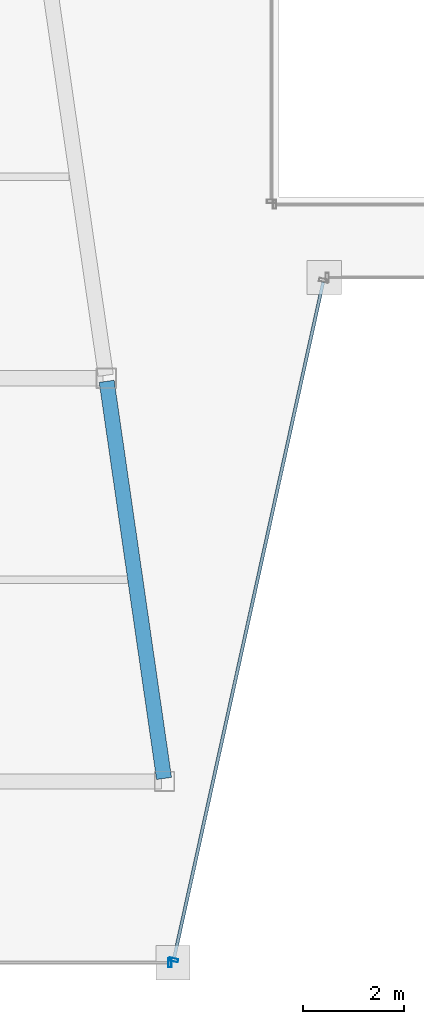
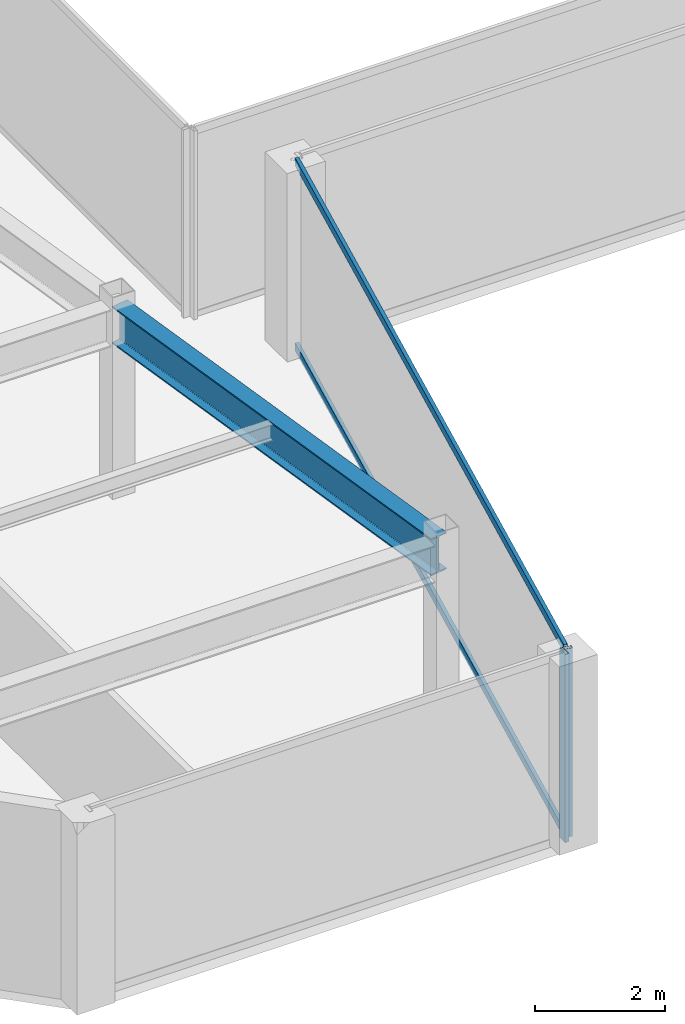
# One storey, part 6 of 35: 4 members, 1 beam, 2 elements without a shape of their own.
"""IFC4 building model written with IfcOpenShell, lengths in metres."""

from ifc_helpers import new_model, si_unit, direction, frame, origin, origin_2d, place, context, subcontext, project, spatial, hollow_rectangle, i_section, extrude, material, material_profile, profile_set, type_object, element, aggregate, save


model = new_model("IFC4")

# Units and contexts
model_context = context("Model", 3, precision=1e-05, world=origin(), true_north=direction((0.0, 1.0)))
body_context = subcontext(model_context, "Body", "Model", "MODEL_VIEW")
ifc_project = project(units=[si_unit("LENGTHUNIT", "METRE"), si_unit("AREAUNIT", "SQUARE_METRE"), si_unit("VOLUMEUNIT", "CUBIC_METRE"), si_unit("PLANEANGLEUNIT", "RADIAN"), si_unit("MASSUNIT", "GRAM", prefix="KILO")], contexts=[model_context])

# Site, building, storey
site_placement = place(None, origin())
site = spatial("IfcSite", under=ifc_project, at=site_placement, CompositionType="ELEMENT")
building_placement = place(site_placement, origin())
building = spatial("IfcBuilding", under=site, at=building_placement, Name="Saevonmaru Cultural Tower", CompositionType="ELEMENT")
storey_placement = place(building_placement, frame((0.0, 0.0, 213.199951171875)))
storey = spatial("IfcBuildingStorey", under=building, at=storey_placement, Name="L49", CompositionType="ELEMENT", Elevation=213.199951171875)

# Beam
ifc_material_1 = material(Name="Steel SM355", Category="steel")
ifc_material_profile_1 = material_profile(ifc_material_1, i_section(OverallWidth=0.300048828125, OverallDepth=0.699951171875, WebThickness=0.012939453125, FlangeThickness=0.02392578125, FilletRadius=0.02587890625, at=origin_2d()), Name="H-700x300x13x24")
ifc_profile_set_1 = profile_set([ifc_material_profile_1], Name="Steel SM355")
beam_type = type_object("IfcBeamType", Name="BM-G-H700", PredefinedType="BEAM", material=ifc_profile_set_1)
beam_placement = place(storey_placement, frame((21.91943359375, 16.059326171875, 3.199951171875), z_axis=(-0.143022161059, 0.989719486241, 0.0), x_axis=(-0.989719486241, -0.143022161059, 0.0)))
element("IfcBeam", 1, at=beam_placement, inside=storey, type_object=beam_type, Name="L49 West Atrium Girder 1", PredefinedType="BEAM", context=body_context, shape_type="SweptSolid", body=[
    extrude(i_section(OverallWidth=0.300048828125, OverallDepth=0.699951171875, WebThickness=0.012939453125, FlangeThickness=0.02392578125, FilletRadius=0.02587890625, at=origin_2d()), origin(), (0.0, 0.0, 1.0), 7.963134765625),
])

# Curtain wall, member
ifc_material_2 = material(Name="Satin Bronze Anodised Aluminium", Category="aluminium")
curtain_wall_type = type_object("IfcCurtainWallType", Name="CW-TYP-B", PredefinedType="NOTDEFINED", material=ifc_material_2)
curtain_wall_1_placement = place(storey_placement, origin())
curtain_wall_1 = element("IfcCurtainWall", 2, at=curtain_wall_1_placement, inside=storey, type_object=curtain_wall_type, Name="L49 Unitised Curtain Wall E2", PredefinedType="NOTDEFINED")
ifc_material_profile_2 = material_profile(ifc_material_2, hollow_rectangle(XDim=0.06494140625, YDim=0.179931640625, WallThickness=0.00390625, at=origin_2d()), Name="ALU-MULL-180x65x4")
ifc_profile_set_2 = profile_set([ifc_material_profile_2], Name="Satin Bronze Anodised Aluminium")
member_type_1 = type_object("IfcMemberType", Name="ML-CW-180x65", PredefinedType="MULLION", material=ifc_profile_set_2)
member_1_placement = place(storey_placement, frame((22.037841796875, 12.39990234375, 0.0), z_axis=(0.0, 0.0, 1.0), x_axis=(1.0, 0.0, 0.0)))
member_1 = element("IfcMember", 3, at=member_1_placement, type_object=member_type_1, Name="CW-TW-L49-E2 mullion 2", PredefinedType="MULLION", context=body_context, shape_type="SweptSolid", body=[
    extrude(hollow_rectangle(XDim=0.06494140625, YDim=0.179931640625, WallThickness=0.00390625, at=origin_2d()), origin(), (0.0, 0.0, 1.0), 3.550048828125),
])
aggregate(curtain_wall_1, [member_1])

# Curtain wall, members
curtain_wall_2_placement = place(storey_placement, origin())
curtain_wall_2 = element("IfcCurtainWall", 4, at=curtain_wall_2_placement, inside=storey, type_object=curtain_wall_type, Name="L49 Unitised Curtain Wall E3", PredefinedType="NOTDEFINED")
member_2_placement = place(storey_placement, frame((22.110595703125, 12.45849609375, 0.0), z_axis=(0.0, 0.0, 1.0), x_axis=(0.215413319953, 0.976522965212, 0.0)))
member_2 = element("IfcMember", 5, at=member_2_placement, type_object=member_type_1, Name="CW-TW-L49-E3 mullion 1", PredefinedType="MULLION", context=body_context, shape_type="SweptSolid", body=[
    extrude(hollow_rectangle(XDim=0.06494140625, YDim=0.179931640625, WallThickness=0.00390625, at=origin_2d()), origin(), (0.0, 0.0, 1.0), 3.550048828125),
])
ifc_material_profile_3 = material_profile(ifc_material_2, hollow_rectangle(XDim=0.06494140625, YDim=0.14990234375, WallThickness=0.00390625, at=origin_2d()), Name="ALU-TRAN-150x65x4")
ifc_profile_set_3 = profile_set([ifc_material_profile_3], Name="Satin Bronze Anodised Aluminium")
member_type_2 = type_object("IfcMemberType", Name="TR-CW-150x65", PredefinedType="USERDEFINED", material=ifc_profile_set_3)
member_3_placement = place(storey_placement, frame((22.11767578125, 12.490234375, 0.032470703125), z_axis=(0.21541214732, 0.976523223885, 0.0), x_axis=(-0.976523223885, 0.21541214732, 0.0)))
member_3 = element("IfcMember", 6, at=member_3_placement, type_object=member_type_2, Name="CW-TW-L49-E3 transom 1.1", ObjectType="TRANSOM", PredefinedType="USERDEFINED", context=body_context, shape_type="SweptSolid", body=[
    extrude(hollow_rectangle(XDim=0.06494140625, YDim=0.14990234375, WallThickness=0.00390625, at=origin_2d()), origin(), (0.0, 0.0, 1.0), 13.741943359375),
])
member_4_placement = place(storey_placement, frame((22.11767578125, 12.490234375, 3.517578125), z_axis=(0.21541214732, 0.976523223885, 0.0), x_axis=(-0.976523223885, 0.21541214732, 0.0)))
member_4 = element("IfcMember", 7, at=member_4_placement, type_object=member_type_2, Name="CW-TW-L49-E3 transom 1.2", ObjectType="TRANSOM", PredefinedType="USERDEFINED", context=body_context, shape_type="SweptSolid", body=[
    extrude(hollow_rectangle(XDim=0.06494140625, YDim=0.14990234375, WallThickness=0.00390625, at=origin_2d()), origin(), (0.0, 0.0, 1.0), 13.741943359375),
])
aggregate(curtain_wall_2, [member_2, member_3, member_4])

save(model, "model.ifc")
